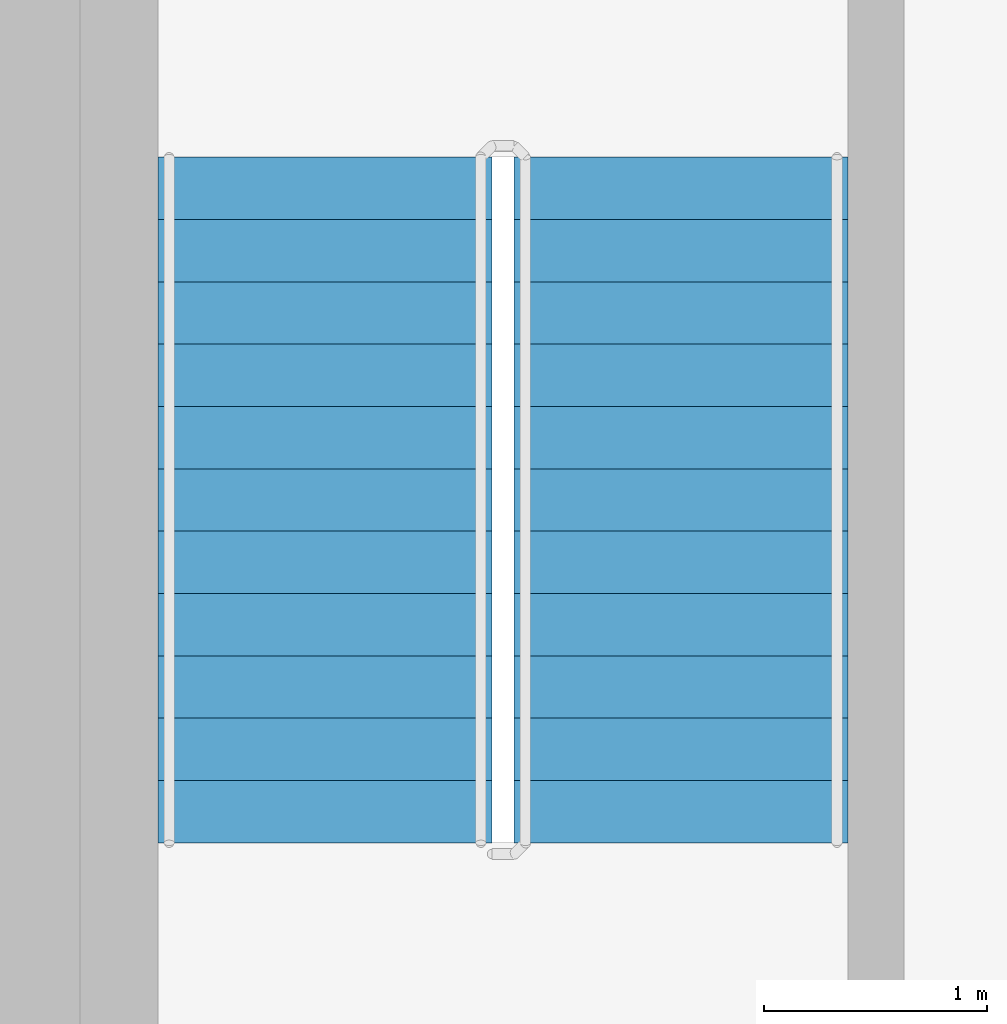
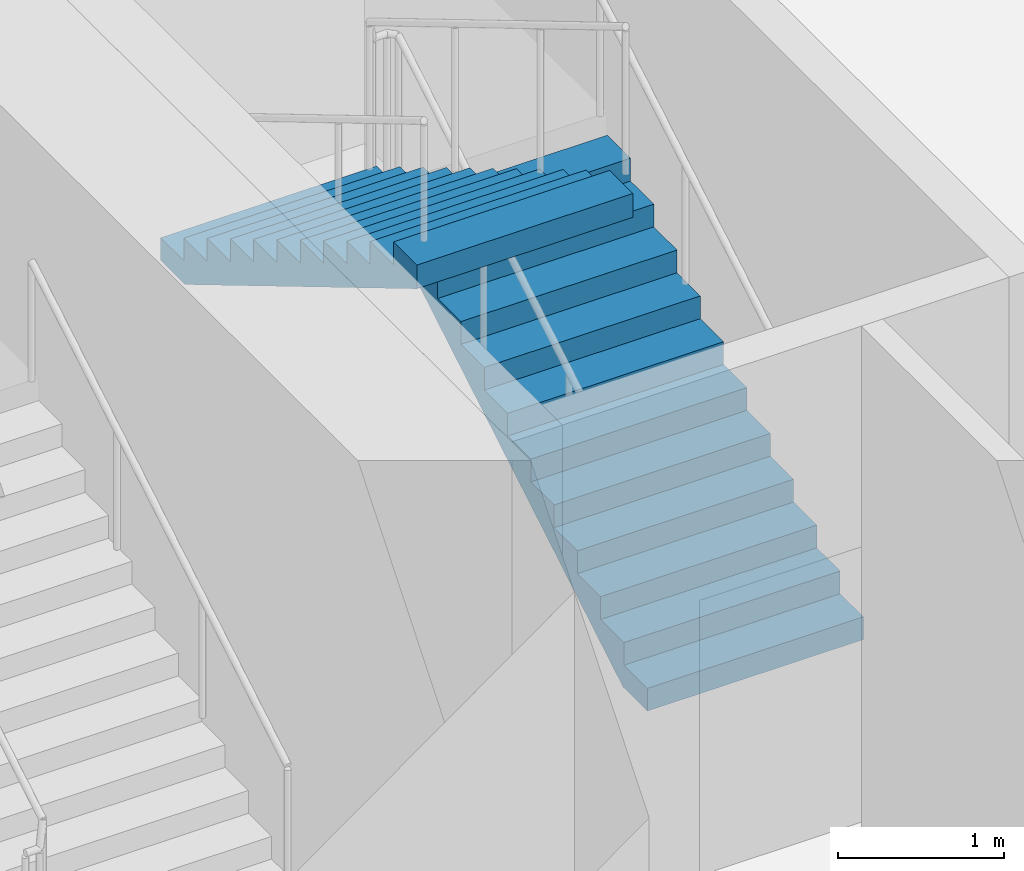
# One storey, part 19 of 27: 2 stair flights, 1 element without a shape of its own.
"""IFC4 building model written with IfcOpenShell, lengths in metres."""

from ifc_helpers import new_model, si_unit, direction, frame, origin, place, context, subcontext, project, spatial, triangles, source, transform, mapped, material, type_object, element, aggregate, save


model = new_model("IFC4")

# Units and contexts
model_context = context("Model", 3, precision=1e-05, world=origin(), true_north=direction((0.0, 1.0)))
body_context = subcontext(model_context, "Body", "Model", "MODEL_VIEW")
ifc_project = project(units=[si_unit("LENGTHUNIT", "METRE"), si_unit("AREAUNIT", "SQUARE_METRE"), si_unit("VOLUMEUNIT", "CUBIC_METRE"), si_unit("PLANEANGLEUNIT", "RADIAN"), si_unit("MASSUNIT", "GRAM", prefix="KILO")], contexts=[model_context])

# Site, building, storey
site_placement = place(None, origin())
site = spatial("IfcSite", under=ifc_project, at=site_placement, CompositionType="ELEMENT")
building_placement = place(site_placement, origin())
building = spatial("IfcBuilding", under=site, at=building_placement, Name="Kilnfold Tower and Market Hall", CompositionType="ELEMENT")
storey_placement = place(building_placement, frame((0.0, 0.0, 112.60009765625)))
storey = spatial("IfcBuildingStorey", under=building, at=storey_placement, Name="L26", CompositionType="ELEMENT", Elevation=112.60009765625)

# Stair, stair flights
ifc_material_1 = material(Name="Concrete C40/50", Category="concrete")
stair_type = type_object("IfcStairType", Name="CORE STAIR 1500", PredefinedType="HALF_TURN_STAIR", material=ifc_material_1)
stair_placement = place(storey_placement, origin())
stair = element("IfcStair", 1, at=stair_placement, inside=storey, type_object=stair_type, Name="L26 ST5", PredefinedType="HALF_TURN_STAIR")
ifc_material_2 = material(Name="Concrete C40/50", Category="concrete")
stair_flight_type = type_object("IfcStairFlightType", Name="CORE STAIR FLIGHT 1500", PredefinedType="STRAIGHT", material=ifc_material_2)
shared_shape = source(origin(), body_context, "Body", "Tessellation", [
    triangles([(0.0, 0.75, 0.0), (0.0, 0.65625, 0.0), (0.0, 0.5625, 0.0), (0.0, 0.46875, 0.0), (0.0, 0.375, 0.0), (0.0, 0.28125, 0.0), (0.0, 0.1875, 0.0), (0.0, 0.09375, 0.0), (0.0, 0.0, 0.0), (0.0, -0.09375, 0.0), (0.0, -0.1875, 0.0), (0.0, -0.28125, 0.0), (0.0, -0.375, 0.0), (0.0, -0.46875, 0.0), (0.0, -0.5625, 0.0), (0.0, -0.65625, 0.0), (0.0, -0.75, 0.0), (0.0, 0.75, 0.166748046875), (0.0, 0.65625, 0.166748046875), (0.0, 0.5625, 0.166748046875), (0.0, 0.46875, 0.166748046875), (0.0, 0.375, 0.166748046875), (0.0, 0.28125, 0.166748046875), (0.0, 0.1875, 0.166748046875), (0.0, 0.09375, 0.166748046875), (0.0, 0.0, 0.166748046875), (0.0, -0.09375, 0.166748046875), (0.0, -0.1875, 0.166748046875), (0.0, -0.28125, 0.166748046875), (0.0, -0.375, 0.166748046875), (0.0, -0.46875, 0.166748046875), (0.0, -0.5625, 0.166748046875), (0.0, -0.65625, 0.166748046875), (0.0, -0.75, 0.166748046875), (0.280029296875, 0.75, 0.166748046875), (0.280029296875, 0.65625, 0.166748046875), (0.280029296875, 0.5625, 0.166748046875), (0.280029296875, 0.46875, 0.166748046875), (0.280029296875, 0.375, 0.166748046875), (0.280029296875, 0.28125, 0.166748046875), (0.280029296875, 0.1875, 0.166748046875), (0.280029296875, 0.09375, 0.166748046875), (0.280029296875, 0.0, 0.166748046875), (0.280029296875, -0.09375, 0.166748046875), (0.280029296875, -0.1875, 0.166748046875), (0.280029296875, -0.28125, 0.166748046875), (0.280029296875, -0.375, 0.166748046875), (0.280029296875, -0.46875, 0.166748046875), (0.280029296875, -0.5625, 0.166748046875), (0.280029296875, -0.65625, 0.166748046875), (0.280029296875, -0.75, 0.166748046875), (0.280029296875, 0.75, 0.333251953125), (0.280029296875, 0.65625, 0.333251953125), (0.280029296875, 0.5625, 0.333251953125), (0.280029296875, 0.46875, 0.333251953125), (0.280029296875, 0.375, 0.333251953125), (0.280029296875, 0.28125, 0.333251953125), (0.280029296875, 0.1875, 0.333251953125), (0.280029296875, 0.09375, 0.333251953125), (0.280029296875, 0.0, 0.333251953125), (0.280029296875, -0.09375, 0.333251953125), (0.280029296875, -0.1875, 0.333251953125), (0.280029296875, -0.28125, 0.333251953125), (0.280029296875, -0.375, 0.333251953125), (0.280029296875, -0.46875, 0.333251953125), (0.280029296875, -0.5625, 0.333251953125), (0.280029296875, -0.65625, 0.333251953125), (0.280029296875, -0.75, 0.333251953125), (0.56005859375, 0.75, 0.333251953125), (0.56005859375, 0.65625, 0.333251953125), (0.56005859375, 0.5625, 0.333251953125), (0.56005859375, 0.46875, 0.333251953125), (0.56005859375, 0.375, 0.333251953125), (0.56005859375, 0.28125, 0.333251953125), (0.56005859375, 0.1875, 0.333251953125), (0.56005859375, 0.09375, 0.333251953125), (0.56005859375, 0.0, 0.333251953125), (0.56005859375, -0.09375, 0.333251953125), (0.56005859375, -0.1875, 0.333251953125), (0.56005859375, -0.28125, 0.333251953125), (0.56005859375, -0.375, 0.333251953125), (0.56005859375, -0.46875, 0.333251953125), (0.56005859375, -0.5625, 0.333251953125), (0.56005859375, -0.65625, 0.333251953125), (0.56005859375, -0.75, 0.333251953125), (0.56005859375, 0.75, 0.5), (0.56005859375, 0.65625, 0.5), (0.56005859375, 0.5625, 0.5), (0.56005859375, 0.46875, 0.5), (0.56005859375, 0.375, 0.5), (0.56005859375, 0.28125, 0.5), (0.56005859375, 0.1875, 0.5), (0.56005859375, 0.09375, 0.5), (0.56005859375, 0.0, 0.5), (0.56005859375, -0.09375, 0.5), (0.56005859375, -0.1875, 0.5), (0.56005859375, -0.28125, 0.5), (0.56005859375, -0.375, 0.5), (0.56005859375, -0.46875, 0.5), (0.56005859375, -0.5625, 0.5), (0.56005859375, -0.65625, 0.5), (0.56005859375, -0.75, 0.5), (0.840087890625, 0.75, 0.5), (0.840087890625, 0.65625, 0.5), (0.840087890625, 0.5625, 0.5), (0.840087890625, 0.46875, 0.5), (0.840087890625, 0.375, 0.5), (0.840087890625, 0.28125, 0.5), (0.840087890625, 0.1875, 0.5), (0.840087890625, 0.09375, 0.5), (0.840087890625, 0.0, 0.5), (0.840087890625, -0.09375, 0.5), (0.840087890625, -0.1875, 0.5), (0.840087890625, -0.28125, 0.5), (0.840087890625, -0.375, 0.5), (0.840087890625, -0.46875, 0.5), (0.840087890625, -0.5625, 0.5), (0.840087890625, -0.65625, 0.5), (0.840087890625, -0.75, 0.5), (0.840087890625, 0.75, 0.666748046875), (0.840087890625, 0.65625, 0.666748046875), (0.840087890625, 0.5625, 0.666748046875), (0.840087890625, 0.46875, 0.666748046875), (0.840087890625, 0.375, 0.666748046875), (0.840087890625, 0.28125, 0.666748046875), (0.840087890625, 0.1875, 0.666748046875), (0.840087890625, 0.09375, 0.666748046875), (0.840087890625, 0.0, 0.666748046875), (0.840087890625, -0.09375, 0.666748046875), (0.840087890625, -0.1875, 0.666748046875), (0.840087890625, -0.28125, 0.666748046875), (0.840087890625, -0.375, 0.666748046875), (0.840087890625, -0.46875, 0.666748046875), (0.840087890625, -0.5625, 0.666748046875), (0.840087890625, -0.65625, 0.666748046875), (0.840087890625, -0.75, 0.666748046875), (1.1201171875, 0.75, 0.666748046875), (1.1201171875, 0.65625, 0.666748046875), (1.1201171875, 0.5625, 0.666748046875), (1.1201171875, 0.46875, 0.666748046875), (1.1201171875, 0.375, 0.666748046875), (1.1201171875, 0.28125, 0.666748046875), (1.1201171875, 0.1875, 0.666748046875), (1.1201171875, 0.09375, 0.666748046875), (1.1201171875, 0.0, 0.666748046875), (1.1201171875, -0.09375, 0.666748046875), (1.1201171875, -0.1875, 0.666748046875), (1.1201171875, -0.28125, 0.666748046875), (1.1201171875, -0.375, 0.666748046875), (1.1201171875, -0.46875, 0.666748046875), (1.1201171875, -0.5625, 0.666748046875), (1.1201171875, -0.65625, 0.666748046875), (1.1201171875, -0.75, 0.666748046875), (1.1201171875, 0.75, 0.833251953125), (1.1201171875, 0.65625, 0.833251953125), (1.1201171875, 0.5625, 0.833251953125), (1.1201171875, 0.46875, 0.833251953125), (1.1201171875, 0.375, 0.833251953125), (1.1201171875, 0.28125, 0.833251953125), (1.1201171875, 0.1875, 0.833251953125), (1.1201171875, 0.09375, 0.833251953125), (1.1201171875, 0.0, 0.833251953125), (1.1201171875, -0.09375, 0.833251953125), (1.1201171875, -0.1875, 0.833251953125), (1.1201171875, -0.28125, 0.833251953125), (1.1201171875, -0.375, 0.833251953125), (1.1201171875, -0.46875, 0.833251953125), (1.1201171875, -0.5625, 0.833251953125), (1.1201171875, -0.65625, 0.833251953125), (1.1201171875, -0.75, 0.833251953125), (1.39990234375, 0.75, 0.833251953125), (1.39990234375, 0.65625, 0.833251953125), (1.39990234375, 0.5625, 0.833251953125), (1.39990234375, 0.46875, 0.833251953125), (1.39990234375, 0.375, 0.833251953125), (1.39990234375, 0.28125, 0.833251953125), (1.39990234375, 0.1875, 0.833251953125), (1.39990234375, 0.09375, 0.833251953125), (1.39990234375, 0.0, 0.833251953125), (1.39990234375, -0.09375, 0.833251953125), (1.39990234375, -0.1875, 0.833251953125), (1.39990234375, -0.28125, 0.833251953125), (1.39990234375, -0.375, 0.833251953125), (1.39990234375, -0.46875, 0.833251953125), (1.39990234375, -0.5625, 0.833251953125), (1.39990234375, -0.65625, 0.833251953125), (1.39990234375, -0.75, 0.833251953125), (1.39990234375, 0.75, 1.0), (1.39990234375, 0.65625, 1.0), (1.39990234375, 0.5625, 1.0), (1.39990234375, 0.46875, 1.0), (1.39990234375, 0.375, 1.0), (1.39990234375, 0.28125, 1.0), (1.39990234375, 0.1875, 1.0), (1.39990234375, 0.09375, 1.0), (1.39990234375, 0.0, 1.0), (1.39990234375, -0.09375, 1.0), (1.39990234375, -0.1875, 1.0), (1.39990234375, -0.28125, 1.0), (1.39990234375, -0.375, 1.0), (1.39990234375, -0.46875, 1.0), (1.39990234375, -0.5625, 1.0), (1.39990234375, -0.65625, 1.0), (1.39990234375, -0.75, 1.0), (1.679931640625, 0.75, 1.0), (1.679931640625, 0.65625, 1.0), (1.679931640625, 0.5625, 1.0), (1.679931640625, 0.46875, 1.0), (1.679931640625, 0.375, 1.0), (1.679931640625, 0.28125, 1.0), (1.679931640625, 0.1875, 1.0), (1.679931640625, 0.09375, 1.0), (1.679931640625, 0.0, 1.0), (1.679931640625, -0.09375, 1.0), (1.679931640625, -0.1875, 1.0), (1.679931640625, -0.28125, 1.0), (1.679931640625, -0.375, 1.0), (1.679931640625, -0.46875, 1.0), (1.679931640625, -0.5625, 1.0), (1.679931640625, -0.65625, 1.0), (1.679931640625, -0.75, 1.0), (1.679931640625, 0.75, 1.166748046875), (1.679931640625, 0.65625, 1.166748046875), (1.679931640625, 0.5625, 1.166748046875), (1.679931640625, 0.46875, 1.166748046875), (1.679931640625, 0.375, 1.166748046875), (1.679931640625, 0.28125, 1.166748046875), (1.679931640625, 0.1875, 1.166748046875), (1.679931640625, 0.09375, 1.166748046875), (1.679931640625, 0.0, 1.166748046875), (1.679931640625, -0.09375, 1.166748046875), (1.679931640625, -0.1875, 1.166748046875), (1.679931640625, -0.28125, 1.166748046875), (1.679931640625, -0.375, 1.166748046875), (1.679931640625, -0.46875, 1.166748046875), (1.679931640625, -0.5625, 1.166748046875), (1.679931640625, -0.65625, 1.166748046875), (1.679931640625, -0.75, 1.166748046875), (1.9599609375, 0.75, 1.166748046875), (1.9599609375, 0.65625, 1.166748046875), (1.9599609375, 0.5625, 1.166748046875), (1.9599609375, 0.46875, 1.166748046875), (1.9599609375, 0.375, 1.166748046875), (1.9599609375, 0.28125, 1.166748046875), (1.9599609375, 0.1875, 1.166748046875), (1.9599609375, 0.09375, 1.166748046875), (1.9599609375, 0.0, 1.166748046875), (1.9599609375, -0.09375, 1.166748046875), (1.9599609375, -0.1875, 1.166748046875), (1.9599609375, -0.28125, 1.166748046875), (1.9599609375, -0.375, 1.166748046875), (1.9599609375, -0.46875, 1.166748046875), (1.9599609375, -0.5625, 1.166748046875), (1.9599609375, -0.65625, 1.166748046875), (1.9599609375, -0.75, 1.166748046875), (1.9599609375, 0.75, 1.333251953125), (1.9599609375, 0.65625, 1.333251953125), (1.9599609375, 0.5625, 1.333251953125), (1.9599609375, 0.46875, 1.333251953125), (1.9599609375, 0.375, 1.333251953125), (1.9599609375, 0.28125, 1.333251953125), (1.9599609375, 0.1875, 1.333251953125), (1.9599609375, 0.09375, 1.333251953125), (1.9599609375, 0.0, 1.333251953125), (1.9599609375, -0.09375, 1.333251953125), (1.9599609375, -0.1875, 1.333251953125), (1.9599609375, -0.28125, 1.333251953125), (1.9599609375, -0.375, 1.333251953125), (1.9599609375, -0.46875, 1.333251953125), (1.9599609375, -0.5625, 1.333251953125), (1.9599609375, -0.65625, 1.333251953125), (1.9599609375, -0.75, 1.333251953125), (2.239990234375, 0.75, 1.333251953125), (2.239990234375, 0.65625, 1.333251953125), (2.239990234375, 0.5625, 1.333251953125), (2.239990234375, 0.46875, 1.333251953125), (2.239990234375, 0.375, 1.333251953125), (2.239990234375, 0.28125, 1.333251953125), (2.239990234375, 0.1875, 1.333251953125), (2.239990234375, 0.09375, 1.333251953125), (2.239990234375, 0.0, 1.333251953125), (2.239990234375, -0.09375, 1.333251953125), (2.239990234375, -0.1875, 1.333251953125), (2.239990234375, -0.28125, 1.333251953125), (2.239990234375, -0.375, 1.333251953125), (2.239990234375, -0.46875, 1.333251953125), (2.239990234375, -0.5625, 1.333251953125), (2.239990234375, -0.65625, 1.333251953125), (2.239990234375, -0.75, 1.333251953125), (2.239990234375, 0.75, 1.5), (2.239990234375, 0.65625, 1.5), (2.239990234375, 0.5625, 1.5), (2.239990234375, 0.46875, 1.5), (2.239990234375, 0.375, 1.5), (2.239990234375, 0.28125, 1.5), (2.239990234375, 0.1875, 1.5), (2.239990234375, 0.09375, 1.5), (2.239990234375, 0.0, 1.5), (2.239990234375, -0.09375, 1.5), (2.239990234375, -0.1875, 1.5), (2.239990234375, -0.28125, 1.5), (2.239990234375, -0.375, 1.5), (2.239990234375, -0.46875, 1.5), (2.239990234375, -0.5625, 1.5), (2.239990234375, -0.65625, 1.5), (2.239990234375, -0.75, 1.5), (2.52001953125, 0.75, 1.5), (2.52001953125, 0.65625, 1.5), (2.52001953125, 0.5625, 1.5), (2.52001953125, 0.46875, 1.5), (2.52001953125, 0.375, 1.5), (2.52001953125, 0.28125, 1.5), (2.52001953125, 0.1875, 1.5), (2.52001953125, 0.09375, 1.5), (2.52001953125, 0.0, 1.5), (2.52001953125, -0.09375, 1.5), (2.52001953125, -0.1875, 1.5), (2.52001953125, -0.28125, 1.5), (2.52001953125, -0.375, 1.5), (2.52001953125, -0.46875, 1.5), (2.52001953125, -0.5625, 1.5), (2.52001953125, -0.65625, 1.5), (2.52001953125, -0.75, 1.5), (2.52001953125, 0.75, 1.666748046875), (2.52001953125, 0.65625, 1.666748046875), (2.52001953125, 0.5625, 1.666748046875), (2.52001953125, 0.46875, 1.666748046875), (2.52001953125, 0.375, 1.666748046875), (2.52001953125, 0.28125, 1.666748046875), (2.52001953125, 0.1875, 1.666748046875), (2.52001953125, 0.09375, 1.666748046875), (2.52001953125, 0.0, 1.666748046875), (2.52001953125, -0.09375, 1.666748046875), (2.52001953125, -0.1875, 1.666748046875), (2.52001953125, -0.28125, 1.666748046875), (2.52001953125, -0.375, 1.666748046875), (2.52001953125, -0.46875, 1.666748046875), (2.52001953125, -0.5625, 1.666748046875), (2.52001953125, -0.65625, 1.666748046875), (2.52001953125, -0.75, 1.666748046875), (2.800048828125, 0.75, 1.666748046875), (2.800048828125, 0.65625, 1.666748046875), (2.800048828125, 0.5625, 1.666748046875), (2.800048828125, 0.46875, 1.666748046875), (2.800048828125, 0.375, 1.666748046875), (2.800048828125, 0.28125, 1.666748046875), (2.800048828125, 0.1875, 1.666748046875), (2.800048828125, 0.09375, 1.666748046875), (2.800048828125, 0.0, 1.666748046875), (2.800048828125, -0.09375, 1.666748046875), (2.800048828125, -0.1875, 1.666748046875), (2.800048828125, -0.28125, 1.666748046875), (2.800048828125, -0.375, 1.666748046875), (2.800048828125, -0.46875, 1.666748046875), (2.800048828125, -0.5625, 1.666748046875), (2.800048828125, -0.65625, 1.666748046875), (2.800048828125, -0.75, 1.666748046875), (2.800048828125, 0.75, 1.833251953125), (2.800048828125, 0.65625, 1.833251953125), (2.800048828125, 0.5625, 1.833251953125), (2.800048828125, 0.46875, 1.833251953125), (2.800048828125, 0.375, 1.833251953125), (2.800048828125, 0.28125, 1.833251953125), (2.800048828125, 0.1875, 1.833251953125), (2.800048828125, 0.09375, 1.833251953125), (2.800048828125, 0.0, 1.833251953125), (2.800048828125, -0.09375, 1.833251953125), (2.800048828125, -0.1875, 1.833251953125), (2.800048828125, -0.28125, 1.833251953125), (2.800048828125, -0.375, 1.833251953125), (2.800048828125, -0.46875, 1.833251953125), (2.800048828125, -0.5625, 1.833251953125), (2.800048828125, -0.65625, 1.833251953125), (2.800048828125, -0.75, 1.833251953125), (3.080078125, 0.75, 1.833251953125), (3.080078125, 0.65625, 1.833251953125), (3.080078125, 0.5625, 1.833251953125), (3.080078125, 0.46875, 1.833251953125), (3.080078125, 0.375, 1.833251953125), (3.080078125, 0.28125, 1.833251953125), (3.080078125, 0.1875, 1.833251953125), (3.080078125, 0.09375, 1.833251953125), (3.080078125, 0.0, 1.833251953125), (3.080078125, -0.09375, 1.833251953125), (3.080078125, -0.1875, 1.833251953125), (3.080078125, -0.28125, 1.833251953125), (3.080078125, -0.375, 1.833251953125), (3.080078125, -0.46875, 1.833251953125), (3.080078125, -0.5625, 1.833251953125), (3.080078125, -0.65625, 1.833251953125), (3.080078125, -0.75, 1.833251953125), (3.080078125, 0.75, 1.658935546875), (3.080078125, 0.65625, 1.658935546875), (3.080078125, 0.5625, 1.658935546875), (3.080078125, 0.46875, 1.658935546875), (3.080078125, 0.375, 1.658935546875), (3.080078125, 0.28125, 1.658935546875), (3.080078125, 0.1875, 1.658935546875), (3.080078125, 0.09375, 1.658935546875), (3.080078125, 0.0, 1.658935546875), (3.080078125, -0.09375, 1.658935546875), (3.080078125, -0.1875, 1.658935546875), (3.080078125, -0.28125, 1.658935546875), (3.080078125, -0.375, 1.658935546875), (3.080078125, -0.46875, 1.658935546875), (3.080078125, -0.5625, 1.658935546875), (3.080078125, -0.65625, 1.658935546875), (3.080078125, -0.75, 1.658935546875), (0.29296875, 0.75, 0.0), (0.29296875, 0.65625, 0.0), (0.29296875, 0.5625, 0.0), (0.29296875, 0.46875, 0.0), (0.29296875, 0.375, 0.0), (0.29296875, 0.28125, 0.0), (0.29296875, 0.1875, 0.0), (0.29296875, 0.09375, 0.0), (0.29296875, 0.0, 0.0), (0.29296875, -0.09375, 0.0), (0.29296875, -0.1875, 0.0), (0.29296875, -0.28125, 0.0), (0.29296875, -0.375, 0.0), (0.29296875, -0.46875, 0.0), (0.29296875, -0.5625, 0.0), (0.29296875, -0.65625, 0.0), (0.29296875, -0.75, 0.0)], [[1, 392, 409], [17, 425, 408], [392, 358, 375], [408, 391, 374], [392, 341, 358], [408, 374, 357], [392, 324, 341], [408, 357, 340], [392, 307, 324], [408, 340, 323], [307, 273, 290], [323, 306, 289], [392, 273, 307], [408, 323, 289], [273, 239, 256], [289, 272, 255], [392, 239, 273], [408, 289, 255], [239, 205, 222], [255, 238, 221], [392, 205, 239], [408, 255, 221], [205, 171, 188], [221, 204, 187], [392, 171, 205], [408, 221, 187], [171, 137, 154], [187, 170, 153], [392, 137, 171], [408, 187, 153], [137, 103, 120], [153, 136, 119], [392, 103, 137], [408, 153, 119], [103, 69, 86], [119, 102, 85], [392, 69, 103], [408, 119, 85], [1, 69, 392], [17, 408, 85], [69, 35, 52], [85, 68, 51], [1, 35, 69], [17, 85, 51], [35, 1, 18], [51, 34, 17], [1, 19, 18], [1, 2, 19], [2, 20, 19], [2, 3, 20], [3, 21, 20], [3, 4, 21], [4, 22, 21], [4, 5, 22], [5, 23, 22], [5, 6, 23], [6, 24, 23], [6, 7, 24], [7, 25, 24], [7, 8, 25], [8, 26, 25], [8, 9, 26], [9, 27, 26], [9, 10, 27], [10, 28, 27], [10, 11, 28], [11, 29, 28], [11, 12, 29], [12, 30, 29], [12, 13, 30], [13, 31, 30], [13, 14, 31], [14, 32, 31], [14, 15, 32], [15, 33, 32], [15, 16, 33], [16, 34, 33], [16, 17, 34], [18, 36, 35], [18, 19, 36], [19, 37, 36], [19, 20, 37], [20, 38, 37], [20, 21, 38], [21, 39, 38], [21, 22, 39], [22, 40, 39], [22, 23, 40], [23, 41, 40], [23, 24, 41], [24, 42, 41], [24, 25, 42], [25, 43, 42], [25, 26, 43], [26, 44, 43], [26, 27, 44], [27, 45, 44], [27, 28, 45], [28, 46, 45], [28, 29, 46], [29, 47, 46], [29, 30, 47], [30, 48, 47], [30, 31, 48], [31, 49, 48], [31, 32, 49], [32, 50, 49], [32, 33, 50], [33, 51, 50], [33, 34, 51], [35, 53, 52], [35, 36, 53], [36, 54, 53], [36, 37, 54], [37, 55, 54], [37, 38, 55], [38, 56, 55], [38, 39, 56], [39, 57, 56], [39, 40, 57], [40, 58, 57], [40, 41, 58], [41, 59, 58], [41, 42, 59], [42, 60, 59], [42, 43, 60], [43, 61, 60], [43, 44, 61], [44, 62, 61], [44, 45, 62], [45, 63, 62], [45, 46, 63], [46, 64, 63], [46, 47, 64], [47, 65, 64], [47, 48, 65], [48, 66, 65], [48, 49, 66], [49, 67, 66], [49, 50, 67], [50, 68, 67], [50, 51, 68], [52, 70, 69], [52, 53, 70], [53, 71, 70], [53, 54, 71], [54, 72, 71], [54, 55, 72], [55, 73, 72], [55, 56, 73], [56, 74, 73], [56, 57, 74], [57, 75, 74], [57, 58, 75], [58, 76, 75], [58, 59, 76], [59, 77, 76], [59, 60, 77], [60, 78, 77], [60, 61, 78], [61, 79, 78], [61, 62, 79], [62, 80, 79], [62, 63, 80], [63, 81, 80], [63, 64, 81], [64, 82, 81], [64, 65, 82], [65, 83, 82], [65, 66, 83], [66, 84, 83], [66, 67, 84], [67, 85, 84], [67, 68, 85], [69, 87, 86], [69, 70, 87], [70, 88, 87], [70, 71, 88], [71, 89, 88], [71, 72, 89], [72, 90, 89], [72, 73, 90], [73, 91, 90], [73, 74, 91], [74, 92, 91], [74, 75, 92], [75, 93, 92], [75, 76, 93], [76, 94, 93], [76, 77, 94], [77, 95, 94], [77, 78, 95], [78, 96, 95], [78, 79, 96], [79, 97, 96], [79, 80, 97], [80, 98, 97], [80, 81, 98], [81, 99, 98], [81, 82, 99], [82, 100, 99], [82, 83, 100], [83, 101, 100], [83, 84, 101], [84, 102, 101], [84, 85, 102], [86, 104, 103], [86, 87, 104], [87, 105, 104], [87, 88, 105], [88, 106, 105], [88, 89, 106], [89, 107, 106], [89, 90, 107], [90, 108, 107], [90, 91, 108], [91, 109, 108], [91, 92, 109], [92, 110, 109], [92, 93, 110], [93, 111, 110], [93, 94, 111], [94, 112, 111], [94, 95, 112], [95, 113, 112], [95, 96, 113], [96, 114, 113], [96, 97, 114], [97, 115, 114], [97, 98, 115], [98, 116, 115], [98, 99, 116], [99, 117, 116], [99, 100, 117], [100, 118, 117], [100, 101, 118], [101, 119, 118], [101, 102, 119], [103, 121, 120], [103, 104, 121], [104, 122, 121], [104, 105, 122], [105, 123, 122], [105, 106, 123], [106, 124, 123], [106, 107, 124], [107, 125, 124], [107, 108, 125], [108, 126, 125], [108, 109, 126], [109, 127, 126], [109, 110, 127], [110, 128, 127], [110, 111, 128], [111, 129, 128], [111, 112, 129], [112, 130, 129], [112, 113, 130], [113, 131, 130], [113, 114, 131], [114, 132, 131], [114, 115, 132], [115, 133, 132], [115, 116, 133], [116, 134, 133], [116, 117, 134], [117, 135, 134], [117, 118, 135], [118, 136, 135], [118, 119, 136], [120, 138, 137], [120, 121, 138], [121, 139, 138], [121, 122, 139], [122, 140, 139], [122, 123, 140], [123, 141, 140], [123, 124, 141], [124, 142, 141], [124, 125, 142], [125, 143, 142], [125, 126, 143], [126, 144, 143], [126, 127, 144], [127, 145, 144], [127, 128, 145], [128, 146, 145], [128, 129, 146], [129, 147, 146], [129, 130, 147], [130, 148, 147], [130, 131, 148], [131, 149, 148], [131, 132, 149], [132, 150, 149], [132, 133, 150], [133, 151, 150], [133, 134, 151], [134, 152, 151], [134, 135, 152], [135, 153, 152], [135, 136, 153], [137, 155, 154], [137, 138, 155], [138, 156, 155], [138, 139, 156], [139, 157, 156], [139, 140, 157], [140, 158, 157], [140, 141, 158], [141, 159, 158], [141, 142, 159], [142, 160, 159], [142, 143, 160], [143, 161, 160], [143, 144, 161], [144, 162, 161], [144, 145, 162], [145, 163, 162], [145, 146, 163], [146, 164, 163], [146, 147, 164], [147, 165, 164], [147, 148, 165], [148, 166, 165], [148, 149, 166], [149, 167, 166], [149, 150, 167], [150, 168, 167], [150, 151, 168], [151, 169, 168], [151, 152, 169], [152, 170, 169], [152, 153, 170], [154, 172, 171], [154, 155, 172], [155, 173, 172], [155, 156, 173], [156, 174, 173], [156, 157, 174], [157, 175, 174], [157, 158, 175], [158, 176, 175], [158, 159, 176], [159, 177, 176], [159, 160, 177], [160, 178, 177], [160, 161, 178], [161, 179, 178], [161, 162, 179], [162, 180, 179], [162, 163, 180], [163, 181, 180], [163, 164, 181], [164, 182, 181], [164, 165, 182], [165, 183, 182], [165, 166, 183], [166, 184, 183], [166, 167, 184], [167, 185, 184], [167, 168, 185], [168, 186, 185], [168, 169, 186], [169, 187, 186], [169, 170, 187], [171, 189, 188], [171, 172, 189], [172, 190, 189], [172, 173, 190], [173, 191, 190], [173, 174, 191], [174, 192, 191], [174, 175, 192], [175, 193, 192], [175, 176, 193], [176, 194, 193], [176, 177, 194], [177, 195, 194], [177, 178, 195], [178, 196, 195], [178, 179, 196], [179, 197, 196], [179, 180, 197], [180, 198, 197], [180, 181, 198], [181, 199, 198], [181, 182, 199], [182, 200, 199], [182, 183, 200], [183, 201, 200], [183, 184, 201], [184, 202, 201], [184, 185, 202], [185, 203, 202], [185, 186, 203], [186, 204, 203], [186, 187, 204], [188, 206, 205], [188, 189, 206], [189, 207, 206], [189, 190, 207], [190, 208, 207], [190, 191, 208], [191, 209, 208], [191, 192, 209], [192, 210, 209], [192, 193, 210], [193, 211, 210], [193, 194, 211], [194, 212, 211], [194, 195, 212], [195, 213, 212], [195, 196, 213], [196, 214, 213], [196, 197, 214], [197, 215, 214], [197, 198, 215], [198, 216, 215], [198, 199, 216], [199, 217, 216], [199, 200, 217], [200, 218, 217], [200, 201, 218], [201, 219, 218], [201, 202, 219], [202, 220, 219], [202, 203, 220], [203, 221, 220], [203, 204, 221], [205, 223, 222], [205, 206, 223], [206, 224, 223], [206, 207, 224], [207, 225, 224], [207, 208, 225], [208, 226, 225], [208, 209, 226], [209, 227, 226], [209, 210, 227], [210, 228, 227], [210, 211, 228], [211, 229, 228], [211, 212, 229], [212, 230, 229], [212, 213, 230], [213, 231, 230], [213, 214, 231], [214, 232, 231], [214, 215, 232], [215, 233, 232], [215, 216, 233], [216, 234, 233], [216, 217, 234], [217, 235, 234], [217, 218, 235], [218, 236, 235], [218, 219, 236], [219, 237, 236], [219, 220, 237], [220, 238, 237], [220, 221, 238], [222, 240, 239], [222, 223, 240], [223, 241, 240], [223, 224, 241], [224, 242, 241], [224, 225, 242], [225, 243, 242], [225, 226, 243], [226, 244, 243], [226, 227, 244], [227, 245, 244], [227, 228, 245], [228, 246, 245], [228, 229, 246], [229, 247, 246], [229, 230, 247], [230, 248, 247], [230, 231, 248], [231, 249, 248], [231, 232, 249], [232, 250, 249], [232, 233, 250], [233, 251, 250], [233, 234, 251], [234, 252, 251], [234, 235, 252], [235, 253, 252], [235, 236, 253], [236, 254, 253], [236, 237, 254], [237, 255, 254], [237, 238, 255], [239, 257, 256], [239, 240, 257], [240, 258, 257], [240, 241, 258], [241, 259, 258], [241, 242, 259], [242, 260, 259], [242, 243, 260], [243, 261, 260], [243, 244, 261], [244, 262, 261], [244, 245, 262], [245, 263, 262], [245, 246, 263], [246, 264, 263], [246, 247, 264], [247, 265, 264], [247, 248, 265], [248, 266, 265], [248, 249, 266], [249, 267, 266], [249, 250, 267], [250, 268, 267], [250, 251, 268], [251, 269, 268], [251, 252, 269], [252, 270, 269], [252, 253, 270], [253, 271, 270], [253, 254, 271], [254, 272, 271], [254, 255, 272], [256, 274, 273], [256, 257, 274], [257, 275, 274], [257, 258, 275], [258, 276, 275], [258, 259, 276], [259, 277, 276], [259, 260, 277], [260, 278, 277], [260, 261, 278], [261, 279, 278], [261, 262, 279], [262, 280, 279], [262, 263, 280], [263, 281, 280], [263, 264, 281], [264, 282, 281], [264, 265, 282], [265, 283, 282], [265, 266, 283], [266, 284, 283], [266, 267, 284], [267, 285, 284], [267, 268, 285], [268, 286, 285], [268, 269, 286], [269, 287, 286], [269, 270, 287], [270, 288, 287], [270, 271, 288], [271, 289, 288], [271, 272, 289], [273, 291, 290], [273, 274, 291], [274, 292, 291], [274, 275, 292], [275, 293, 292], [275, 276, 293], [276, 294, 293], [276, 277, 294], [277, 295, 294], [277, 278, 295], [278, 296, 295], [278, 279, 296], [279, 297, 296], [279, 280, 297], [280, 298, 297], [280, 281, 298], [281, 299, 298], [281, 282, 299], [282, 300, 299], [282, 283, 300], [283, 301, 300], [283, 284, 301], [284, 302, 301], [284, 285, 302], [285, 303, 302], [285, 286, 303], [286, 304, 303], [286, 287, 304], [287, 305, 304], [287, 288, 305], [288, 306, 305], [288, 289, 306], [290, 308, 307], [290, 291, 308], [291, 309, 308], [291, 292, 309], [292, 310, 309], [292, 293, 310], [293, 311, 310], [293, 294, 311], [294, 312, 311], [294, 295, 312], [295, 313, 312], [295, 296, 313], [296, 314, 313], [296, 297, 314], [297, 315, 314], [297, 298, 315], [298, 316, 315], [298, 299, 316], [299, 317, 316], [299, 300, 317], [300, 318, 317], [300, 301, 318], [301, 319, 318], [301, 302, 319], [302, 320, 319], [302, 303, 320], [303, 321, 320], [303, 304, 321], [304, 322, 321], [304, 305, 322], [305, 323, 322], [305, 306, 323], [307, 325, 324], [307, 308, 325], [308, 326, 325], [308, 309, 326], [309, 327, 326], [309, 310, 327], [310, 328, 327], [310, 311, 328], [311, 329, 328], [311, 312, 329], [312, 330, 329], [312, 313, 330], [313, 331, 330], [313, 314, 331], [314, 332, 331], [314, 315, 332], [315, 333, 332], [315, 316, 333], [316, 334, 333], [316, 317, 334], [317, 335, 334], [317, 318, 335], [318, 336, 335], [318, 319, 336], [319, 337, 336], [319, 320, 337], [320, 338, 337], [320, 321, 338], [321, 339, 338], [321, 322, 339], [322, 340, 339], [322, 323, 340], [324, 342, 341], [324, 325, 342], [325, 343, 342], [325, 326, 343], [326, 344, 343], [326, 327, 344], [327, 345, 344], [327, 328, 345], [328, 346, 345], [328, 329, 346], [329, 347, 346], [329, 330, 347], [330, 348, 347], [330, 331, 348], [331, 349, 348], [331, 332, 349], [332, 350, 349], [332, 333, 350], [333, 351, 350], [333, 334, 351], [334, 352, 351], [334, 335, 352], [335, 353, 352], [335, 336, 353], [336, 354, 353], [336, 337, 354], [337, 355, 354], [337, 338, 355], [338, 356, 355], [338, 339, 356], [339, 357, 356], [339, 340, 357], [341, 359, 358], [341, 342, 359], [342, 360, 359], [342, 343, 360], [343, 361, 360], [343, 344, 361], [344, 362, 361], [344, 345, 362], [345, 363, 362], [345, 346, 363], [346, 364, 363], [346, 347, 364], [347, 365, 364], [347, 348, 365], [348, 366, 365], [348, 349, 366], [349, 367, 366], [349, 350, 367], [350, 368, 367], [350, 351, 368], [351, 369, 368], [351, 352, 369], [352, 370, 369], [352, 353, 370], [353, 371, 370], [353, 354, 371], [354, 372, 371], [354, 355, 372], [355, 373, 372], [355, 356, 373], [356, 374, 373], [356, 357, 374], [358, 376, 375], [358, 359, 376], [359, 377, 376], [359, 360, 377], [360, 378, 377], [360, 361, 378], [361, 379, 378], [361, 362, 379], [362, 380, 379], [362, 363, 380], [363, 381, 380], [363, 364, 381], [364, 382, 381], [364, 365, 382], [365, 383, 382], [365, 366, 383], [366, 384, 383], [366, 367, 384], [367, 385, 384], [367, 368, 385], [368, 386, 385], [368, 369, 386], [369, 387, 386], [369, 370, 387], [370, 388, 387], [370, 371, 388], [371, 389, 388], [371, 372, 389], [372, 390, 389], [372, 373, 390], [373, 391, 390], [373, 374, 391], [375, 393, 392], [375, 376, 393], [376, 394, 393], [376, 377, 394], [377, 395, 394], [377, 378, 395], [378, 396, 395], [378, 379, 396], [379, 397, 396], [379, 380, 397], [380, 398, 397], [380, 381, 398], [381, 399, 398], [381, 382, 399], [382, 400, 399], [382, 383, 400], [383, 401, 400], [383, 384, 401], [384, 402, 401], [384, 385, 402], [385, 403, 402], [385, 386, 403], [386, 404, 403], [386, 387, 404], [387, 405, 404], [387, 388, 405], [388, 406, 405], [388, 389, 406], [389, 407, 406], [389, 390, 407], [390, 408, 407], [390, 391, 408], [392, 410, 409], [392, 393, 410], [393, 411, 410], [393, 394, 411], [394, 412, 411], [394, 395, 412], [395, 413, 412], [395, 396, 413], [396, 414, 413], [396, 397, 414], [397, 415, 414], [397, 398, 415], [398, 416, 415], [398, 399, 416], [399, 417, 416], [399, 400, 417], [400, 418, 417], [400, 401, 418], [401, 419, 418], [401, 402, 419], [402, 420, 419], [402, 403, 420], [403, 421, 420], [403, 404, 421], [404, 422, 421], [404, 405, 422], [405, 423, 422], [405, 406, 423], [406, 424, 423], [406, 407, 424], [407, 425, 424], [407, 408, 425], [409, 2, 1], [409, 410, 2], [410, 3, 2], [410, 411, 3], [411, 4, 3], [411, 412, 4], [412, 5, 4], [412, 413, 5], [413, 6, 5], [413, 414, 6], [414, 7, 6], [414, 415, 7], [415, 8, 7], [415, 416, 8], [416, 9, 8], [416, 417, 9], [417, 10, 9], [417, 418, 10], [418, 11, 10], [418, 419, 11], [419, 12, 11], [419, 420, 12], [420, 13, 12], [420, 421, 13], [421, 14, 13], [421, 422, 14], [422, 15, 14], [422, 423, 15], [423, 16, 15], [423, 424, 16], [424, 17, 16], [424, 425, 17]], closed=True),
])
stair_flight_1_placement = place(storey_placement, frame((20.699951171875, 11.5, 0.0), z_axis=(0.0, 0.0, 1.0), x_axis=(0.0, 1.0, 0.0)))
stair_flight_1 = element("IfcStairFlight", 2, at=stair_flight_1_placement, type_object=stair_flight_type, Name="ST5 flight 1", NumberOfRisers=12, NumberOfTreads=11, PredefinedType="STRAIGHT", RiserHeight=0.166666667, TreadLength=0.28, context=body_context, shape_type="MappedRepresentation", body=[
    mapped(shared_shape, transform((0.0, 0.0, 0.0))),
])
stair_flight_2_placement = place(storey_placement, frame((19.10009765625, 14.580078125, 2.0), z_axis=(0.0, 0.0, 1.0), x_axis=(0.0, -1.0, 0.0)))
stair_flight_2 = element("IfcStairFlight", 3, at=stair_flight_2_placement, type_object=stair_flight_type, Name="ST5 flight 2", NumberOfRisers=12, NumberOfTreads=11, PredefinedType="STRAIGHT", RiserHeight=0.166666667, TreadLength=0.28, context=body_context, shape_type="MappedRepresentation", body=[
    mapped(shared_shape, transform((0.0, 0.0, 0.0))),
])
aggregate(stair, [stair_flight_1, stair_flight_2])

save(model, "model.ifc")
